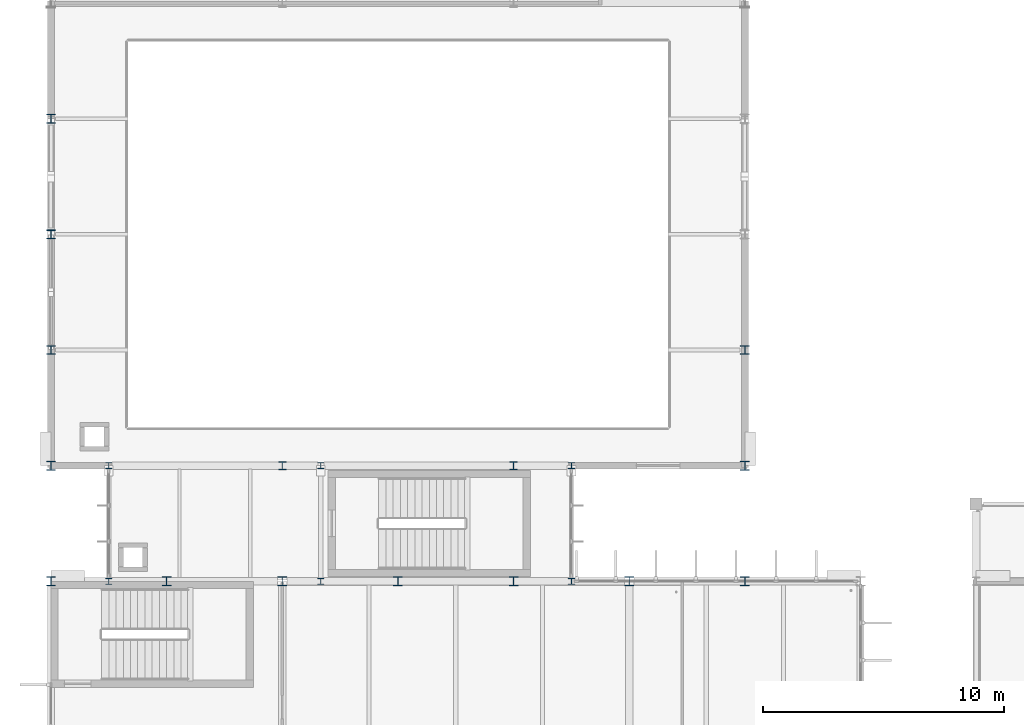
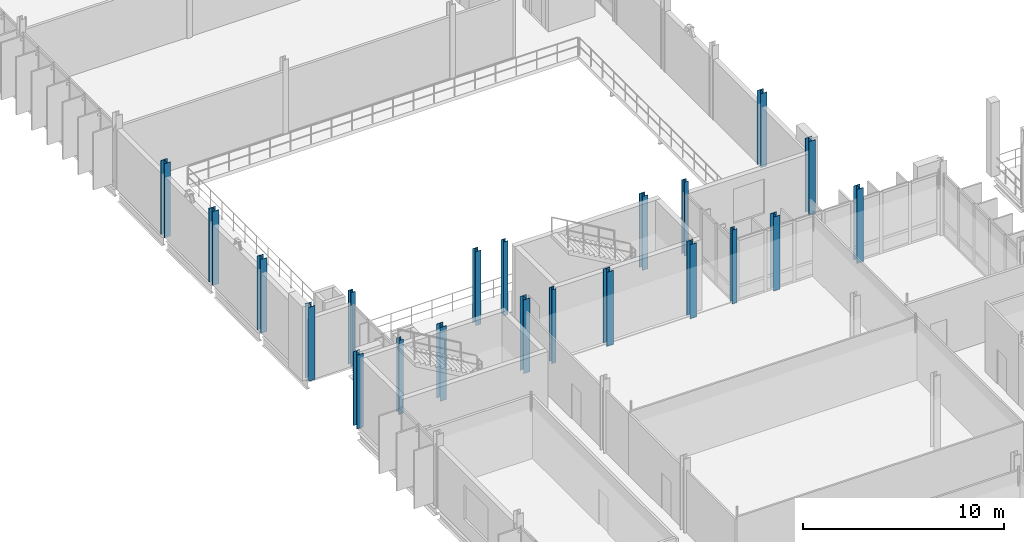
# One storey, part 3 of 107: 21 columns.
"""IFC4 building model written with IfcOpenShell, lengths in metres."""

from ifc_helpers import new_model, si_unit, direction, frame, origin, origin_2d, place, context, subcontext, project, spatial, i_section, extrude, material, material_profile, profile_set, type_object, element, save


model = new_model("IFC4")

# Units and contexts
model_context = context("Model", 3, precision=1e-05, world=origin(), true_north=direction((0.0, 1.0)))
body_context = subcontext(model_context, "Body", "Model", "MODEL_VIEW")
ifc_project = project(units=[si_unit("LENGTHUNIT", "METRE"), si_unit("AREAUNIT", "SQUARE_METRE"), si_unit("VOLUMEUNIT", "CUBIC_METRE"), si_unit("PLANEANGLEUNIT", "RADIAN"), si_unit("MASSUNIT", "GRAM", prefix="KILO")], contexts=[model_context])

# Site, building, storey
site_placement = place(None, origin())
site = spatial("IfcSite", under=ifc_project, at=site_placement, CompositionType="ELEMENT")
building_placement = place(site_placement, origin())
building = spatial("IfcBuilding", under=site, at=building_placement, Name="Dunescarp Central Library", CompositionType="ELEMENT")
storey_placement = place(building_placement, frame((0.0, 0.0, 5.10009765625)))
storey = spatial("IfcBuildingStorey", under=building, at=storey_placement, Name="L01", CompositionType="ELEMENT", Elevation=5.10009765625)

# Columns
ifc_material = material(Name="Steel S355JR", Category="steel")
ifc_material_profile_1 = material_profile(ifc_material, i_section(OverallWidth=0.25634765625, OverallDepth=0.26025390625, WebThickness=0.01025390625, FlangeThickness=0.017333984375, at=origin_2d()), Name="UC 254x254x89")
ifc_profile_set_1 = profile_set([ifc_material_profile_1], Name="Steel S355JR")
column_type_1 = type_object("IfcColumnType", Name="STR-COL-UC254X89", PredefinedType="COLUMN", material=ifc_profile_set_1)
for number, where, z_axis, x_axis, name in (
    (1, (2.39990234375, 36.800048828125, 0.0), (0.0, 0.0, 1.0), (1.0, 0.0, 0.0), "L01 column GL4-24-368"),
    (2, (2.39990234375, 41.60009765625, 0.0), (0.0, 0.0, 1.0), (1.0, 0.0, 0.0), "L01 column GL4-24-416"),
    (3, (11.199951171875, 36.800048828125, 0.0), (0.0, 0.0, 1.0), (1.0, 0.0, 0.0), "L01 column GL4-112-368"),
    (4, (11.199951171875, 41.60009765625, 0.0), (0.0, 0.0, 1.0), (1.0, 0.0, 0.0), "L01 column GL4-112-416"),
    (5, (21.60009765625, 36.800048828125, 0.0), (0.0, 0.0, 1.0), (1.0, 0.0, 0.0), "L01 column GL4-216-368"),
    (6, (21.60009765625, 41.60009765625, 0.0), (0.0, 0.0, 1.0), (1.0, 0.0, 0.0), "L01 column GL4-216-416"),
):
    element("IfcColumn", number, at=place(storey_placement, frame(where, z_axis=z_axis, x_axis=x_axis)), inside=storey, type_object=column_type_1, Name=name, PredefinedType="COLUMN", context=body_context, shape_type="SweptSolid", body=[
        extrude(i_section(OverallWidth=0.25634765625, OverallDepth=0.26025390625, WebThickness=0.01025390625, FlangeThickness=0.017333984375, at=origin_2d()), origin(), (0.0, 0.0, 1.0), 4.5),
    ])
ifc_material_profile_2 = material_profile(ifc_material, i_section(OverallWidth=0.311279296875, OverallDepth=0.3271484375, WebThickness=0.015869140625, FlangeThickness=0.02490234375, at=origin_2d()), Name="UC 305x305x158")
ifc_profile_set_2 = profile_set([ifc_material_profile_2], Name="Steel S355JR")
column_type_2 = type_object("IfcColumnType", Name="STR-COL-UC305X158", PredefinedType="COLUMN", material=ifc_profile_set_2)
for number, where, z_axis, x_axis, name in (
    (7, (9.60009765625, 41.60009765625, 0.0), (0.0, 0.0, 1.0), (1.0, 0.0, 0.0), "L01 column V4B-96-416"),
    (8, (19.199951171875, 41.60009765625, 0.0), (0.0, 0.0, 1.0), (1.0, 0.0, 0.0), "L01 column V4B-192-416"),
):
    element("IfcColumn", number, at=place(storey_placement, frame(where, z_axis=z_axis, x_axis=x_axis)), inside=storey, type_object=column_type_2, Name=name, PredefinedType="COLUMN", context=body_context, shape_type="SweptSolid", body=[
        extrude(i_section(OverallWidth=0.311279296875, OverallDepth=0.3271484375, WebThickness=0.015869140625, FlangeThickness=0.02490234375, at=origin_2d()), origin(), (0.0, 0.0, 1.0), 4.5),
    ])
ifc_material_profile_3 = material_profile(ifc_material, i_section(OverallWidth=0.37255859375, OverallDepth=0.3681640625, WebThickness=0.014404296875, FlangeThickness=0.023681640625, at=origin_2d()), Name="UC 356x368x177")
ifc_profile_set_3 = profile_set([ifc_material_profile_3], Name="Steel S355JR")
column_type_3 = type_object("IfcColumnType", Name="STR-COL-UC356X177", PredefinedType="COLUMN", material=ifc_profile_set_3)
for number, where, z_axis, x_axis, name in (
    (9, (0.0, 36.800048828125, 0.0), (0.0, 0.0, 1.0), (1.0, 0.0, 0.0), "L01 column V1P-0-368"),
    (10, (4.800048828125, 36.800048828125, 0.0), (0.0, 0.0, 1.0), (1.0, 0.0, 0.0), "L01 column V1P-48-368"),
    (11, (9.60009765625, 36.800048828125, 0.0), (0.0, 0.0, 1.0), (1.0, 0.0, 0.0), "L01 column V1P-96-368"),
    (12, (14.39990234375, 36.800048828125, 0.0), (0.0, 0.0, 1.0), (1.0, 0.0, 0.0), "L01 column V1P-144-368"),
    (13, (19.199951171875, 36.800048828125, 0.0), (0.0, 0.0, 1.0), (1.0, 0.0, 0.0), "L01 column V1P-192-368"),
    (14, (24.0, 36.800048828125, 0.0), (0.0, 0.0, 1.0), (1.0, 0.0, 0.0), "L01 column V1P-240-368"),
    (15, (28.800048828125, 36.800048828125, 0.0), (0.0, 0.0, 1.0), (1.0, 0.0, 0.0), "L01 column V1P-288-368"),
    (16, (0.0, 41.60009765625, 0.0), (0.0, 0.0, 1.0), (1.0, 0.0, 0.0), "L01 column V4A-0-416"),
    (17, (0.0, 46.39990234375, 0.0), (0.0, 0.0, 1.0), (1.0, 0.0, 0.0), "L01 column V4A-0-464"),
    (18, (0.0, 51.199951171875, 0.0), (0.0, 0.0, 1.0), (1.0, 0.0, 0.0), "L01 column V4A-0-512"),
    (19, (0.0, 56.0, 0.0), (0.0, 0.0, 1.0), (1.0, 0.0, 0.0), "L01 column V4A-0-560"),
    (20, (28.800048828125, 41.60009765625, 0.0), (0.0, 0.0, 1.0), (1.0, 0.0, 0.0), "L01 column V4A-288-416"),
    (21, (28.800048828125, 46.39990234375, 0.0), (0.0, 0.0, 1.0), (1.0, 0.0, 0.0), "L01 column V4A-288-464"),
):
    element("IfcColumn", number, at=place(storey_placement, frame(where, z_axis=z_axis, x_axis=x_axis)), inside=storey, type_object=column_type_3, Name=name, PredefinedType="COLUMN", context=body_context, shape_type="SweptSolid", body=[
        extrude(i_section(OverallWidth=0.37255859375, OverallDepth=0.3681640625, WebThickness=0.014404296875, FlangeThickness=0.023681640625, at=origin_2d()), origin(), (0.0, 0.0, 1.0), 4.5),
    ])

save(model, "model.ifc")
